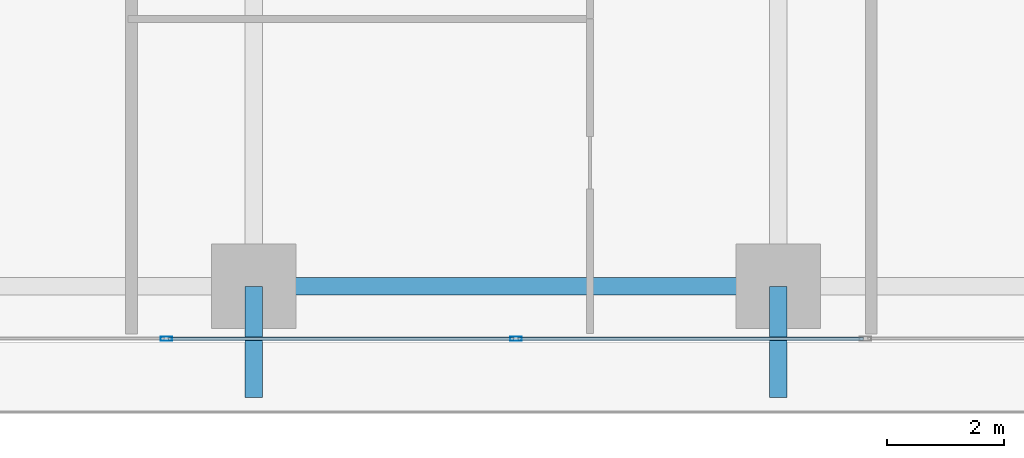
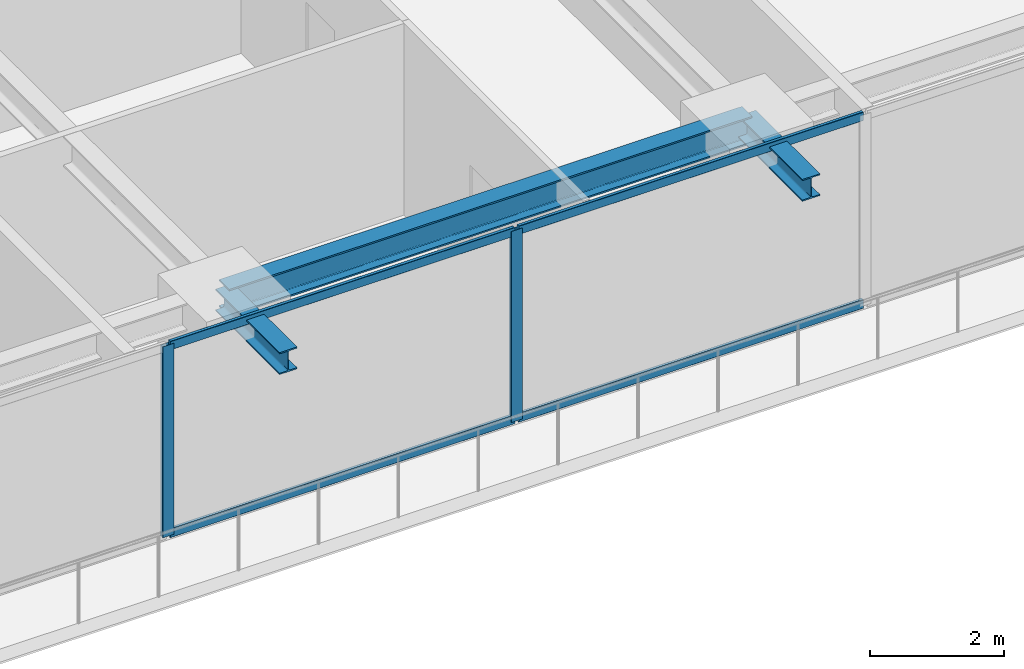
# One storey, part 5 of 38: 6 members, 3 beams, 1 element without a shape of its own.
"""IFC4 building model written with IfcOpenShell, lengths in metres."""

from ifc_helpers import new_model, si_unit, direction, frame, origin, origin_2d, place, context, subcontext, project, spatial, hollow_rectangle, i_section, extrude, source, transform, mapped, material, layer, layer_set, material_profile, profile_set, type_object, element, aggregate, save


model = new_model("IFC4")

# Units and contexts
model_context = context("Model", 3, precision=1e-05, world=origin(), true_north=direction((0.0, 1.0)))
body_context = subcontext(model_context, "Body", "Model", "MODEL_VIEW")
ifc_project = project(units=[si_unit("LENGTHUNIT", "METRE"), si_unit("AREAUNIT", "SQUARE_METRE"), si_unit("VOLUMEUNIT", "CUBIC_METRE"), si_unit("PLANEANGLEUNIT", "RADIAN"), si_unit("MASSUNIT", "GRAM", prefix="KILO")], contexts=[model_context])

# Site, building, storey
site_placement = place(None, origin())
site = spatial("IfcSite", under=ifc_project, at=site_placement, CompositionType="ELEMENT")
building_placement = place(site_placement, origin())
building = spatial("IfcBuilding", under=site, at=building_placement, Name="Serunith Strait Residences", CompositionType="ELEMENT")
storey_placement = place(building_placement, frame((0.0, 0.0, 52.949951171875)))
storey = spatial("IfcBuildingStorey", under=building, at=storey_placement, Name="L12", CompositionType="ELEMENT", Elevation=52.949951171875)

# Beams
ifc_material_1 = material(Name="Steel S355J2", Category="steel")
ifc_material_profile_1 = material_profile(ifc_material_1, i_section(OverallWidth=0.300048828125, OverallDepth=0.5, WebThickness=0.014404296875, FlangeThickness=0.028076171875, FilletRadius=0.027099609375, at=origin_2d()), Name="HEB 500")
ifc_profile_set_1 = profile_set([ifc_material_profile_1], Name="Steel S355J2")
beam_type_1 = type_object("IfcBeamType", Name="BM-HEB500", PredefinedType="BEAM", material=ifc_profile_set_1)
shared_shape_1 = source(origin(), body_context, "Body", "SweptSolid", [
    extrude(i_section(OverallWidth=0.300048828125, OverallDepth=0.5, WebThickness=0.014404296875, FlangeThickness=0.028076171875, FilletRadius=0.027099609375, at=origin_2d()), origin(), (0.0, 0.0, 1.0), 9.0),
])
beam_placement = place(storey_placement, frame((27.89990234375, 1.10009765625, 3.237060546875), z_axis=(1.0, 0.0, 0.0), x_axis=(0.0, 1.0, 0.0)))
element("IfcBeam", 1, at=beam_placement, inside=storey, type_object=beam_type_1, Name="L12 Perimeter Ring Beam 02", PredefinedType="BEAM", context=body_context, shape_type="MappedRepresentation", body=[
    mapped(shared_shape_1, transform((0.0, 0.0, 0.0), scale=1.0)),
])
ifc_material_profile_2 = material_profile(ifc_material_1, i_section(OverallWidth=0.300048828125, OverallDepth=0.39990234375, WebThickness=0.013427734375, FlangeThickness=0.02392578125, FilletRadius=0.027099609375, at=origin_2d()), Name="HEB 400")
ifc_profile_set_2 = profile_set([ifc_material_profile_2], Name="Steel S355J2")
beam_type_2 = type_object("IfcBeamType", Name="BM-HEB400", PredefinedType="BEAM", material=ifc_profile_set_2)
shared_shape_2 = source(origin(), body_context, "Body", "SweptSolid", [
    extrude(i_section(OverallWidth=0.300048828125, OverallDepth=0.39990234375, WebThickness=0.013427734375, FlangeThickness=0.02392578125, FilletRadius=0.027099609375, at=origin_2d()), origin(), (0.0, 0.0, 1.0), 1.91015625),
])
for number, where, z_axis, x_axis, name in (
    (2, (27.89990234375, 1.10009765625, 3.257080078125), (0.0, -1.0, 0.0), (1.0, 0.0, 0.0), "L13 Cantilevered Balcony Rib TC-S2"),
    (3, (36.89990234375, 1.10009765625, 3.257080078125), (0.0, -1.0, 0.0), (1.0, 0.0, 0.0), "L13 Cantilevered Balcony Rib TC-S3"),
):
    element("IfcBeam", number, at=place(storey_placement, frame(where, z_axis=z_axis, x_axis=x_axis)), inside=storey, type_object=beam_type_2, Name=name, PredefinedType="BEAM", context=body_context, shape_type="MappedRepresentation", body=[
        mapped(shared_shape_2, transform((0.0, 0.0, 0.0), scale=1.0)),
    ])

# Curtain wall, members
ifc_material_2 = material(Name="Pale-Champagne Anodised Aluminium", Category="aluminium")
ifc_layer = layer(ifc_material_2, 0.199951171875, Name="Pale-Champagne Anodised Aluminium")
ifc_layer_set = layer_set([ifc_layer], Name="Pale-Champagne Anodised Aluminium")
curtain_wall_type = type_object("IfcCurtainWallType", Name="CW-SYS1", PredefinedType="NOTDEFINED", material=ifc_layer_set)
curtain_wall_placement = place(storey_placement, origin())
curtain_wall = element("IfcCurtainWall", 4, at=curtain_wall_placement, inside=storey, type_object=curtain_wall_type, Name="L12 S Unitised Fritted Curtain Wall", PredefinedType="NOTDEFINED")
ifc_material_profile_3 = material_profile(ifc_material_2, hollow_rectangle(XDim=0.070068359375, YDim=0.199951171875, WallThickness=0.00390625, InnerFilletRadius=0.006103515625, OuterFilletRadius=0.010009765625, at=origin_2d()), Name="ALU 200x70x4")
ifc_profile_set_3 = profile_set([ifc_material_profile_3], Name="Pale-Champagne Anodised Aluminium")
member_type_1 = type_object("IfcMemberType", Name="CW-SYS1-MULL", PredefinedType="MULLION", material=ifc_profile_set_3)
shared_shape_3 = source(origin(), body_context, "Body", "SweptSolid", [
    extrude(hollow_rectangle(XDim=0.070068359375, YDim=0.199951171875, WallThickness=0.00390625, InnerFilletRadius=0.006103515625, OuterFilletRadius=0.010009765625, at=origin_2d()), origin(), (0.0, 0.0, 1.0), 3.47509765625),
])
member_1_placement = place(storey_placement, frame((26.39990234375, 0.199951171875, 0.0), z_axis=(0.0, 0.0, 1.0), x_axis=(0.0, 1.0, 0.0)))
member_1 = element("IfcMember", 5, at=member_1_placement, type_object=member_type_1, Name="CW-1 mullion 3", PredefinedType="MULLION", context=body_context, shape_type="MappedRepresentation", body=[
    mapped(shared_shape_3, transform((0.0, 0.0, 0.0), scale=1.0)),
])
member_2_placement = place(storey_placement, frame((32.39990234375, 0.199951171875, 0.0), z_axis=(0.0, 0.0, 1.0), x_axis=(0.0, 1.0, 0.0)))
member_2 = element("IfcMember", 6, at=member_2_placement, type_object=member_type_1, Name="CW-1 mullion 4", PredefinedType="MULLION", context=body_context, shape_type="MappedRepresentation", body=[
    mapped(shared_shape_3, transform((0.0, 0.0, 0.0), scale=1.0)),
])
ifc_material_profile_4 = material_profile(ifc_material_2, hollow_rectangle(XDim=0.06005859375, YDim=0.159912109375, WallThickness=0.00341796875, InnerFilletRadius=0.00537109375, OuterFilletRadius=0.0087890625, at=origin_2d()), Name="ALU 160x60x3.5")
ifc_profile_set_4 = profile_set([ifc_material_profile_4], Name="Pale-Champagne Anodised Aluminium")
member_type_2 = type_object("IfcMemberType", Name="CW-SYS1-TRAN", PredefinedType="USERDEFINED", material=ifc_profile_set_4)
shared_shape_4 = source(origin(), body_context, "Body", "SweptSolid", [
    extrude(hollow_rectangle(XDim=0.06005859375, YDim=0.159912109375, WallThickness=0.00341796875, InnerFilletRadius=0.00537109375, OuterFilletRadius=0.0087890625, at=origin_2d()), origin(), (0.0, 0.0, 1.0), 5.929931640625),
])
member_3_placement = place(storey_placement, frame((26.43505859375, 0.199951171875, 0.030029296875), z_axis=(1.0, 0.0, 0.0), x_axis=(0.0, 1.0, 0.0)))
member_3 = element("IfcMember", 7, at=member_3_placement, type_object=member_type_2, Name="CW-1 transom 3.1", ObjectType="TRANSOM", PredefinedType="USERDEFINED", context=body_context, shape_type="MappedRepresentation", body=[
    mapped(shared_shape_4, transform((0.0, 0.0, 0.0), scale=1.0)),
])
member_4_placement = place(storey_placement, frame((26.43505859375, 0.199951171875, 3.445068359375), z_axis=(1.0, 0.0, 0.0), x_axis=(0.0, 1.0, 0.0)))
member_4 = element("IfcMember", 8, at=member_4_placement, type_object=member_type_2, Name="CW-1 transom 3.2", ObjectType="TRANSOM", PredefinedType="USERDEFINED", context=body_context, shape_type="MappedRepresentation", body=[
    mapped(shared_shape_4, transform((0.0, 0.0, 0.0), scale=1.0)),
])
member_5_placement = place(storey_placement, frame((32.43505859375, 0.199951171875, 0.030029296875), z_axis=(1.0, 0.0, 0.0), x_axis=(0.0, 1.0, 0.0)))
member_5 = element("IfcMember", 9, at=member_5_placement, type_object=member_type_2, Name="CW-1 transom 4.1", ObjectType="TRANSOM", PredefinedType="USERDEFINED", context=body_context, shape_type="MappedRepresentation", body=[
    mapped(shared_shape_4, transform((0.0, 0.0, 0.0), scale=1.0)),
])
member_6_placement = place(storey_placement, frame((32.43505859375, 0.199951171875, 3.445068359375), z_axis=(1.0, 0.0, 0.0), x_axis=(0.0, 1.0, 0.0)))
member_6 = element("IfcMember", 10, at=member_6_placement, type_object=member_type_2, Name="CW-1 transom 4.2", ObjectType="TRANSOM", PredefinedType="USERDEFINED", context=body_context, shape_type="MappedRepresentation", body=[
    mapped(shared_shape_4, transform((0.0, 0.0, 0.0), scale=1.0)),
])
aggregate(curtain_wall, [member_1, member_2, member_3, member_4, member_5, member_6])

save(model, "model.ifc")
